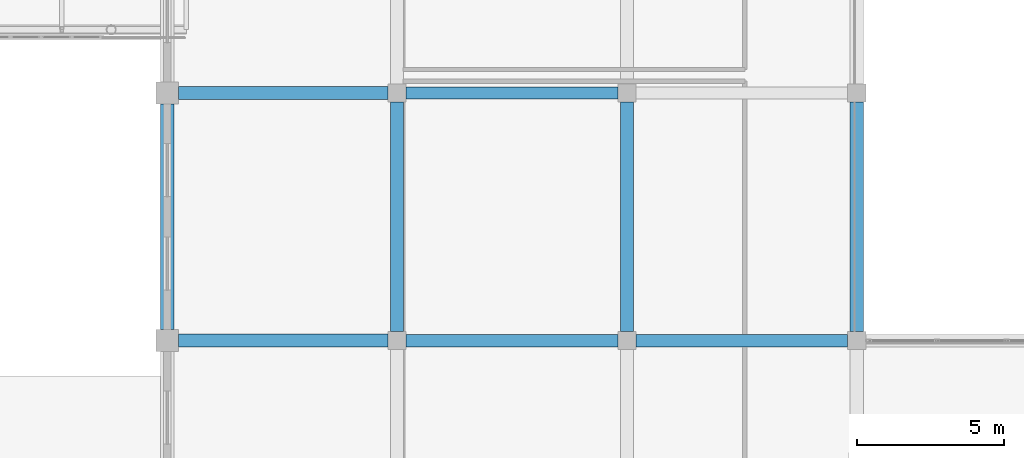
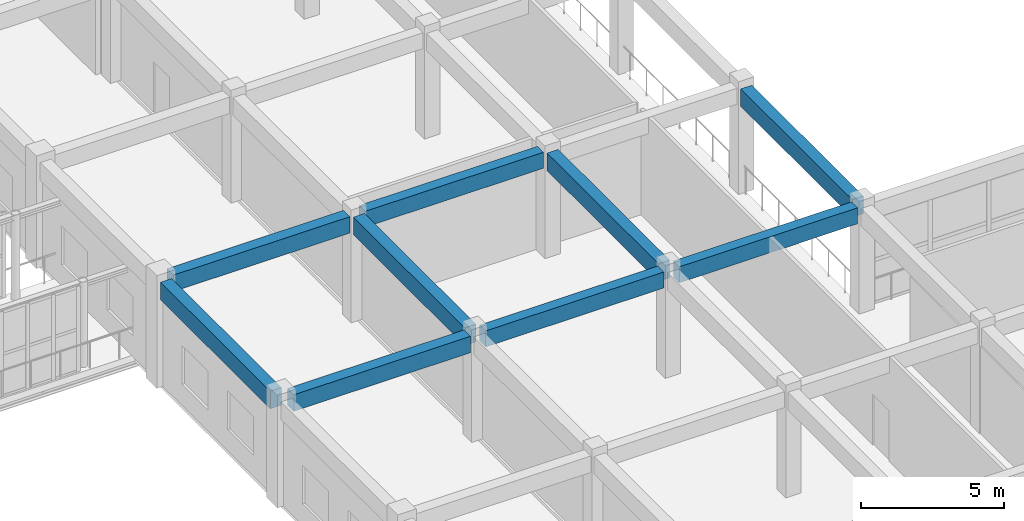
# One storey, part 94 of 167: 9 beams.
"""IFC4 building model written with IfcOpenShell, lengths in metres."""

from ifc_helpers import new_model, si_unit, direction, frame, origin, origin_2d, place, context, subcontext, project, spatial, rectangle, extrude, material, material_profile, profile_set, type_object, element, save


model = new_model("IFC4")

# Units and contexts
model_context = context("Model", 3, precision=1e-05, world=origin(), true_north=direction((0.0, 1.0)))
body_context = subcontext(model_context, "Body", "Model", "MODEL_VIEW")
ifc_project = project(units=[si_unit("LENGTHUNIT", "METRE"), si_unit("AREAUNIT", "SQUARE_METRE"), si_unit("VOLUMEUNIT", "CUBIC_METRE"), si_unit("PLANEANGLEUNIT", "RADIAN"), si_unit("MASSUNIT", "GRAM", prefix="KILO")], contexts=[model_context])

# Site, building, storey
site_placement = place(None, origin())
site = spatial("IfcSite", under=ifc_project, at=site_placement, CompositionType="ELEMENT")
building_placement = place(site_placement, origin())
building = spatial("IfcBuilding", under=site, at=building_placement, Name="Zizhar Promenade General Hospital", CompositionType="ELEMENT")
storey_placement = place(building_placement, frame((0.0, 0.0, 9.60009765625)))
storey = spatial("IfcBuildingStorey", under=building, at=storey_placement, Name="L02", CompositionType="ELEMENT", Elevation=9.60009765625)

# Beams
ifc_material_1 = material(Name="Concrete C35/45", Category="concrete")
ifc_material_profile_1 = material_profile(ifc_material_1, rectangle(XDim=0.419921875, YDim=0.679931640625, at=origin_2d()))
ifc_profile_set_1 = profile_set([ifc_material_profile_1], Name="Concrete C35/45")
beam_type_1 = type_object("IfcBeamType", Name="BM-RC-420x680", PredefinedType="JOIST", material=ifc_profile_set_1)
for number, where, z_axis, x_axis, name in (
    (1, (132.909912109375, 67.199951171875, 4.1298828125), (1.0, 0.0, 0.0), (0.0, 1.0, 0.0), "Grid Beam X L02 (17-8)"),
    (2, (132.909912109375, 75.60009765625, 4.1298828125), (1.0, 0.0, 0.0), (0.0, 1.0, 0.0), "Grid Beam X L02 (17-9)"),
):
    element("IfcBeam", number, at=place(storey_placement, frame(where, z_axis=z_axis, x_axis=x_axis)), inside=storey, type_object=beam_type_1, Name=name, PredefinedType="JOIST", context=body_context, shape_type="SweptSolid", body=[
        extrude(rectangle(XDim=0.419921875, YDim=0.679931640625, at=origin_2d()), origin(), (0.0, 0.0, 1.0), 7.18017578125),
    ])
beam_1_placement = place(storey_placement, frame((140.7099609375, 67.199951171875, 4.1298828125), z_axis=(1.0, 0.0, 0.0), x_axis=(0.0, 1.0, 0.0)))
element("IfcBeam", 3, at=beam_1_placement, inside=storey, type_object=beam_type_1, Name="Grid Beam X L02 (18-8)", PredefinedType="JOIST", context=body_context, shape_type="SweptSolid", body=[
    extrude(rectangle(XDim=0.419921875, YDim=0.679931640625, at=origin_2d()), origin(), (0.0, 0.0, 1.0), 7.179931640625),
])
ifc_material_2 = material(Name="Concrete C35/45", Category="concrete")
ifc_material_profile_2 = material_profile(ifc_material_2, rectangle(XDim=0.449951171875, YDim=0.699951171875, at=origin_2d()))
ifc_profile_set_2 = profile_set([ifc_material_profile_2], Name="Concrete C35/45")
beam_type_2 = type_object("IfcBeamType", Name="BM-RC-450x700", PredefinedType="BEAM", material=ifc_profile_set_2)
for number, where, z_axis, x_axis, name in (
    (4, (125.175048828125, 67.199951171875, 4.119873046875), (1.0, 0.0, 0.0), (0.0, 1.0, 0.0), "Grid Beam X L02 (16-8)"),
    (5, (125.175048828125, 75.60009765625, 4.119873046875), (1.0, 0.0, 0.0), (0.0, 1.0, 0.0), "Grid Beam X L02 (16-9)"),
):
    element("IfcBeam", number, at=place(storey_placement, frame(where, z_axis=z_axis, x_axis=x_axis)), inside=storey, type_object=beam_type_2, Name=name, PredefinedType="BEAM", context=body_context, shape_type="SweptSolid", body=[
        extrude(rectangle(XDim=0.449951171875, YDim=0.699951171875, at=origin_2d()), origin(), (0.0, 0.0, 1.0), 7.114990234375),
    ])
ifc_material_3 = material(Name="Concrete C35/45", Category="concrete")
ifc_material_profile_3 = material_profile(ifc_material_3, rectangle(XDim=0.449951171875, YDim=0.75, at=origin_2d()))
ifc_profile_set_3 = profile_set([ifc_material_profile_3], Name="Concrete C35/45")
beam_type_3 = type_object("IfcBeamType", Name="BM-RC-450x750", PredefinedType="BEAM", material=ifc_profile_set_3)
beam_2_placement = place(storey_placement, frame((124.800048828125, 67.574951171875, 4.094970703125), z_axis=(0.0, 1.0, 0.0), x_axis=(-1.0, 0.0, 0.0)))
element("IfcBeam", 6, at=beam_2_placement, inside=storey, type_object=beam_type_3, Name="Grid Beam Y L02 (16-8)", PredefinedType="BEAM", context=body_context, shape_type="SweptSolid", body=[
    extrude(rectangle(XDim=0.449951171875, YDim=0.75, at=origin_2d()), origin(), (0.0, 0.0, 1.0), 7.650146484375),
])
for number, where, z_axis, x_axis, name in (
    (7, (132.60009765625, 67.510009765625, 4.094970703125), (0.0, 1.0, 0.0), (-1.0, 0.0, 0.0), "Grid Beam Y L02 (17-8)"),
    (8, (140.39990234375, 67.510009765625, 4.094970703125), (0.0, 1.0, 0.0), (-1.0, 0.0, 0.0), "Grid Beam Y L02 (18-8)"),
    (9, (148.199951171875, 67.510009765625, 4.094970703125), (0.0, 1.0, 0.0), (-1.0, 0.0, 0.0), "Grid Beam Y L02 (19-8)"),
):
    element("IfcBeam", number, at=place(storey_placement, frame(where, z_axis=z_axis, x_axis=x_axis)), inside=storey, type_object=beam_type_3, Name=name, PredefinedType="BEAM", context=body_context, shape_type="SweptSolid", body=[
        extrude(rectangle(XDim=0.449951171875, YDim=0.75, at=origin_2d()), origin(), (0.0, 0.0, 1.0), 7.780029296875),
    ])

save(model, "model.ifc")
